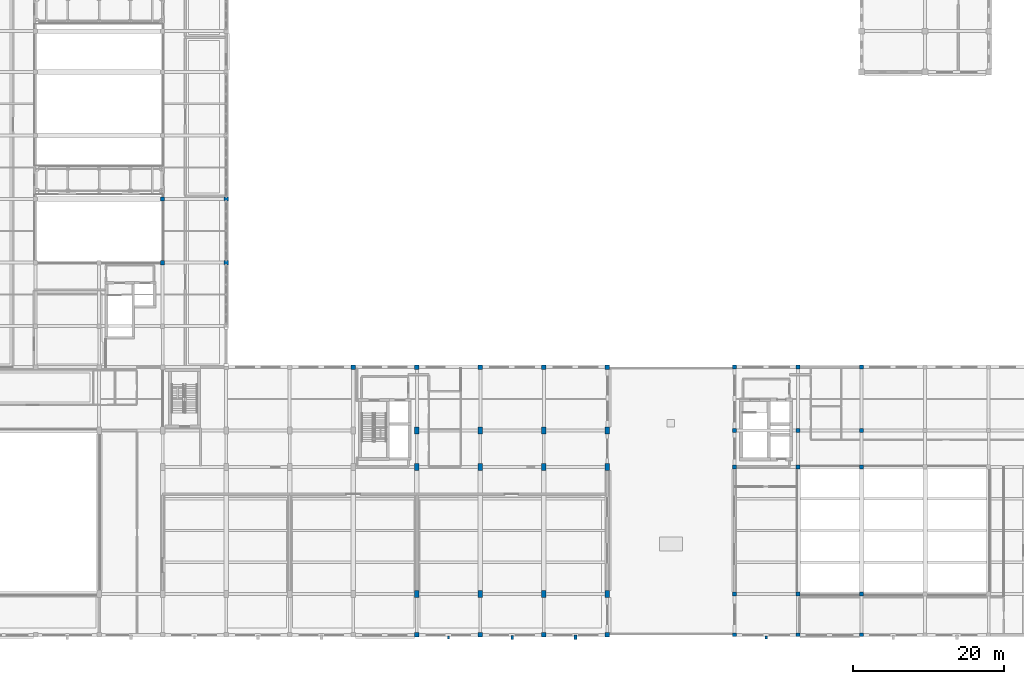
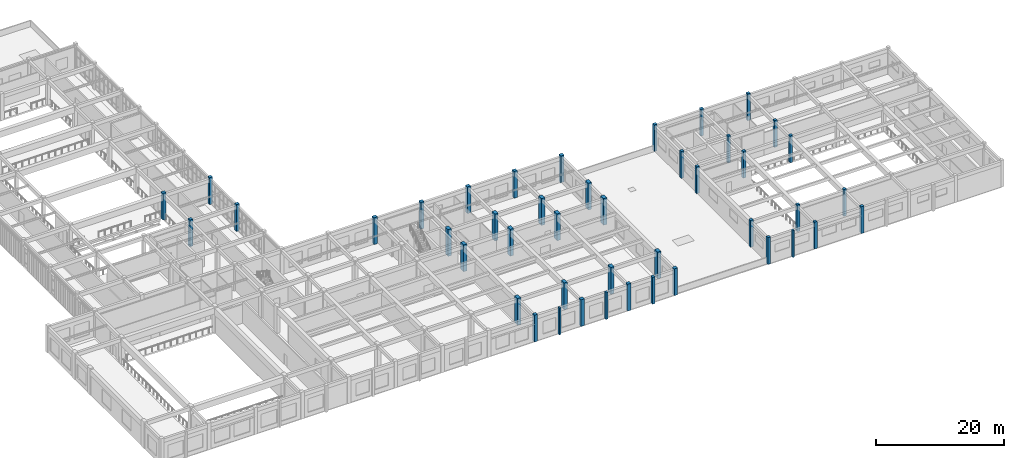
# One storey, part 6 of 77: 44 columns.
"""IFC4 building model written with IfcOpenShell, lengths in metres."""

from ifc_helpers import new_model, si_unit, direction, frame, origin, origin_2d, place, context, subcontext, project, spatial, rectangle, extrude, material, material_profile, profile_set, type_object, element, save


model = new_model("IFC4")

# Units and contexts
model_context = context("Model", 3, precision=1e-05, world=origin(), true_north=direction((0.0, 1.0)))
body_context = subcontext(model_context, "Body", "Model", "MODEL_VIEW")
ifc_project = project(units=[si_unit("LENGTHUNIT", "METRE"), si_unit("AREAUNIT", "SQUARE_METRE"), si_unit("VOLUMEUNIT", "CUBIC_METRE"), si_unit("PLANEANGLEUNIT", "RADIAN"), si_unit("MASSUNIT", "GRAM", prefix="KILO")], contexts=[model_context])

# Site, building, storey
site_placement = place(None, origin())
site = spatial("IfcSite", under=ifc_project, at=site_placement, CompositionType="ELEMENT")
building_placement = place(site_placement, origin())
building = spatial("IfcBuilding", under=site, at=building_placement, Name="Krzemoval Escarpment Law Courts", CompositionType="ELEMENT")
storey_placement = place(building_placement, frame((0.0, 0.0, 15.300048828125)))
storey = spatial("IfcBuildingStorey", under=building, at=storey_placement, Name="L03", CompositionType="ELEMENT", Elevation=15.300048828125)

# Columns
ifc_material_1 = material(Name="Concrete C40/50", Category="concrete")
ifc_material_profile_1 = material_profile(ifc_material_1, rectangle(XDim=0.5, YDim=0.5, at=origin_2d()), Name="RC 500x500")
ifc_profile_set_1 = profile_set([ifc_material_profile_1], Name="Concrete C40/50")
column_type_1 = type_object("IfcColumnType", Name="COL-RC-500", PredefinedType="COLUMN", material=ifc_profile_set_1)
for number, where, z_axis, x_axis, name in (
    (1, (109.199951171875, 0.0, 0.0), (0.0, 0.0, 1.0), (1.0, 0.0, 0.0), "Column FC-L03-1093"),
    (2, (109.199951171875, 5.39990234375, 0.0), (0.0, 0.0, 1.0), (1.0, 0.0, 0.0), "Column FC-L03-1094"),
    (3, (109.199951171875, 22.199951171875, 0.0), (0.0, 0.0, 1.0), (1.0, 0.0, 0.0), "Column FC-L03-1095"),
    (4, (109.199951171875, 27.0, 0.0), (0.0, 0.0, 1.0), (1.0, 0.0, 0.0), "Column FC-L03-1096"),
    (5, (109.199951171875, 35.39990234375, 0.0), (0.0, 0.0, 1.0), (1.0, 0.0, 0.0), "Column FC-L03-1097"),
    (6, (117.60009765625, 0.0, 0.0), (0.0, 0.0, 1.0), (1.0, 0.0, 0.0), "Column FC-L03-1098"),
    (7, (117.60009765625, 5.39990234375, 0.0), (0.0, 0.0, 1.0), (1.0, 0.0, 0.0), "Column FC-L03-1099"),
    (8, (117.60009765625, 22.199951171875, 0.0), (0.0, 0.0, 1.0), (1.0, 0.0, 0.0), "Column FC-L03-1100"),
    (9, (117.60009765625, 27.0, 0.0), (0.0, 0.0, 1.0), (1.0, 0.0, 0.0), "Column FC-L03-1101"),
    (10, (117.60009765625, 35.39990234375, 0.0), (0.0, 0.0, 1.0), (1.0, 0.0, 0.0), "Column FC-L03-1102"),
    (11, (126.0, 0.0, 0.0), (0.0, 0.0, 1.0), (1.0, 0.0, 0.0), "Column FC-L03-1103"),
    (12, (126.0, 5.39990234375, 0.0), (0.0, 0.0, 1.0), (1.0, 0.0, 0.0), "Column FC-L03-1104"),
    (13, (126.0, 22.199951171875, 0.0), (0.0, 0.0, 1.0), (1.0, 0.0, 0.0), "Column FC-L03-1105"),
    (14, (126.0, 27.0, 0.0), (0.0, 0.0, 1.0), (1.0, 0.0, 0.0), "Column FC-L03-1106"),
    (15, (126.0, 35.39990234375, 0.0), (0.0, 0.0, 1.0), (1.0, 0.0, 0.0), "Column FC-L03-1107"),
):
    element("IfcColumn", number, at=place(storey_placement, frame(where, z_axis=z_axis, x_axis=x_axis)), inside=storey, type_object=column_type_1, Name=name, PredefinedType="COLUMN", context=body_context, shape_type="SweptSolid", body=[
        extrude(rectangle(XDim=0.5, YDim=0.5, at=origin_2d()), origin(), (0.0, 0.0, 1.0), 5.099853515625),
    ])
ifc_material_2 = material(Name="Concrete C40/50", Category="concrete")
ifc_material_profile_2 = material_profile(ifc_material_2, rectangle(XDim=0.550048828125, YDim=0.550048828125, at=origin_2d()), Name="RC 550x550")
ifc_profile_set_2 = profile_set([ifc_material_profile_2], Name="Concrete C40/50")
column_type_2 = type_object("IfcColumnType", Name="COL-RC-550", PredefinedType="COLUMN", material=ifc_profile_set_2)
for number, where, z_axis, x_axis, name in (
    (16, (33.60009765625, 49.199951171875, 0.0), (0.0, 0.0, 1.0), (1.0, 0.0, 0.0), "Column FC-L03-1041"),
    (17, (33.60009765625, 57.60009765625, 0.0), (0.0, 0.0, 1.0), (1.0, 0.0, 0.0), "Column FC-L03-1042"),
    (18, (42.0, 49.199951171875, 0.0), (0.0, 0.0, 1.0), (1.0, 0.0, 0.0), "Column FC-L03-1055"),
    (19, (42.0, 57.60009765625, 0.0), (0.0, 0.0, 1.0), (1.0, 0.0, 0.0), "Column FC-L03-1056"),
):
    element("IfcColumn", number, at=place(storey_placement, frame(where, z_axis=z_axis, x_axis=x_axis)), inside=storey, type_object=column_type_2, Name=name, PredefinedType="COLUMN", context=body_context, shape_type="SweptSolid", body=[
        extrude(rectangle(XDim=0.550048828125, YDim=0.550048828125, at=origin_2d()), origin(), (0.0, 0.0, 1.0), 5.099853515625),
    ])
ifc_material_3 = material(Name="Concrete C40/50", Category="concrete")
ifc_material_profile_3 = material_profile(ifc_material_3, rectangle(XDim=0.60009765625, YDim=0.60009765625, at=origin_2d()), Name="RC 600x600")
ifc_profile_set_3 = profile_set([ifc_material_profile_3], Name="Concrete C40/50")
column_type_3 = type_object("IfcColumnType", Name="COL-RC-600", PredefinedType="COLUMN", material=ifc_profile_set_3)
for number, where, z_axis, x_axis, name in (
    (20, (58.800048828125, 35.39990234375, 0.0), (0.0, 0.0, 1.0), (1.0, 0.0, 0.0), "Column FC-L03-1072"),
    (21, (67.199951171875, 0.0, 0.0), (0.0, 0.0, 1.0), (1.0, 0.0, 0.0), "Column FC-L03-1073"),
    (22, (67.199951171875, 35.39990234375, 0.0), (0.0, 0.0, 1.0), (1.0, 0.0, 0.0), "Column FC-L03-1077"),
    (23, (75.60009765625, 0.0, 0.0), (0.0, 0.0, 1.0), (1.0, 0.0, 0.0), "Column FC-L03-1078"),
    (24, (75.60009765625, 35.39990234375, 0.0), (0.0, 0.0, 1.0), (1.0, 0.0, 0.0), "Column FC-L03-1082"),
    (25, (84.0, 0.0, 0.0), (0.0, 0.0, 1.0), (1.0, 0.0, 0.0), "Column FC-L03-1083"),
    (26, (84.0, 35.39990234375, 0.0), (0.0, 0.0, 1.0), (1.0, 0.0, 0.0), "Column FC-L03-1087"),
    (27, (92.39990234375, 0.0, 0.0), (0.0, 0.0, 1.0), (1.0, 0.0, 0.0), "Column FC-L03-1088"),
    (28, (92.39990234375, 35.39990234375, 0.0), (0.0, 0.0, 1.0), (1.0, 0.0, 0.0), "Column FC-L03-1092"),
):
    element("IfcColumn", number, at=place(storey_placement, frame(where, z_axis=z_axis, x_axis=x_axis)), inside=storey, type_object=column_type_3, Name=name, PredefinedType="COLUMN", context=body_context, shape_type="SweptSolid", body=[
        extrude(rectangle(XDim=0.60009765625, YDim=0.60009765625, at=origin_2d()), origin(), (0.0, 0.0, 1.0), 5.099853515625),
    ])
ifc_material_4 = material(Name="Concrete C50/60", Category="concrete")
ifc_material_profile_4 = material_profile(ifc_material_4, rectangle(XDim=0.60009765625, YDim=0.89990234375, at=origin_2d()), Name="RC 600x900")
ifc_profile_set_4 = profile_set([ifc_material_profile_4], Name="Concrete C50/60")
column_type_4 = type_object("IfcColumnType", Name="COL-RC-600x900", PredefinedType="COLUMN", material=ifc_profile_set_4)
for number, where, z_axis, x_axis, name in (
    (29, (67.199951171875, 5.39990234375, 0.0), (0.0, 0.0, 1.0), (1.0, 0.0, 0.0), "Column FC-L03-1074"),
    (30, (67.199951171875, 22.199951171875, 0.0), (0.0, 0.0, 1.0), (1.0, 0.0, 0.0), "Column FC-L03-1075"),
    (31, (67.199951171875, 27.0, 0.0), (0.0, 0.0, 1.0), (1.0, 0.0, 0.0), "Column FC-L03-1076"),
    (32, (75.60009765625, 5.39990234375, 0.0), (0.0, 0.0, 1.0), (1.0, 0.0, 0.0), "Column FC-L03-1079"),
    (33, (75.60009765625, 22.199951171875, 0.0), (0.0, 0.0, 1.0), (1.0, 0.0, 0.0), "Column FC-L03-1080"),
    (34, (75.60009765625, 27.0, 0.0), (0.0, 0.0, 1.0), (1.0, 0.0, 0.0), "Column FC-L03-1081"),
    (35, (84.0, 5.39990234375, 0.0), (0.0, 0.0, 1.0), (1.0, 0.0, 0.0), "Column FC-L03-1084"),
    (36, (84.0, 22.199951171875, 0.0), (0.0, 0.0, 1.0), (1.0, 0.0, 0.0), "Column FC-L03-1085"),
    (37, (84.0, 27.0, 0.0), (0.0, 0.0, 1.0), (1.0, 0.0, 0.0), "Column FC-L03-1086"),
    (38, (92.39990234375, 5.39990234375, 0.0), (0.0, 0.0, 1.0), (1.0, 0.0, 0.0), "Column FC-L03-1089"),
    (39, (92.39990234375, 22.199951171875, 0.0), (0.0, 0.0, 1.0), (1.0, 0.0, 0.0), "Column FC-L03-1090"),
    (40, (92.39990234375, 27.0, 0.0), (0.0, 0.0, 1.0), (1.0, 0.0, 0.0), "Column FC-L03-1091"),
):
    element("IfcColumn", number, at=place(storey_placement, frame(where, z_axis=z_axis, x_axis=x_axis)), inside=storey, type_object=column_type_4, Name=name, PredefinedType="COLUMN", context=body_context, shape_type="SweptSolid", body=[
        extrude(rectangle(XDim=0.60009765625, YDim=0.89990234375, at=origin_2d()), origin(), (0.0, 0.0, 1.0), 5.099853515625),
    ])
ifc_material_5 = material(Name="Precast concrete C40/50", Category="concrete")
ifc_material_profile_5 = material_profile(ifc_material_5, rectangle(XDim=0.300048828125, YDim=0.449951171875, at=origin_2d()), Name="PIL 300x450")
ifc_profile_set_5 = profile_set([ifc_material_profile_5], Name="Precast concrete C40/50")
column_type_5 = type_object("IfcColumnType", Name="PIL-PC-300x450", PredefinedType="PILASTER", material=ifc_profile_set_5)
for number, where, z_axis, x_axis, name in (
    (41, (71.39990234375, -0.35009765625, 0.0), (0.0, 0.0, 1.0), (1.0, 0.0, 0.0), "Facade Pilaster PIL-L03-035"),
    (42, (113.39990234375, -0.35009765625, 0.0), (0.0, 0.0, 1.0), (1.0, 0.0, 0.0), "Facade Pilaster PIL-L03-050"),
):
    element("IfcColumn", number, at=place(storey_placement, frame(where, z_axis=z_axis, x_axis=x_axis)), inside=storey, type_object=column_type_5, Name=name, PredefinedType="PILASTER", context=body_context, shape_type="SweptSolid", body=[
        extrude(rectangle(XDim=0.300048828125, YDim=0.449951171875, at=origin_2d()), origin(), (0.0, 0.0, 1.0), 5.099853515625),
    ])
ifc_material_6 = material(Name="Precast concrete C40/50", Category="concrete")
ifc_material_profile_6 = material_profile(ifc_material_6, rectangle(XDim=0.35009765625, YDim=0.5, at=origin_2d()), Name="PIL 350x500")
ifc_profile_set_6 = profile_set([ifc_material_profile_6], Name="Precast concrete C40/50")
column_type_6 = type_object("IfcColumnType", Name="PIL-PC-350x500", PredefinedType="PILASTER", material=ifc_profile_set_6)
column_1_placement = place(storey_placement, frame((79.800048828125, -0.35009765625, 0.0), z_axis=(0.0, 0.0, 1.0), x_axis=(1.0, 0.0, 0.0)))
element("IfcColumn", 43, at=column_1_placement, inside=storey, type_object=column_type_6, Name="Facade Pilaster PIL-L03-040", PredefinedType="PILASTER", context=body_context, shape_type="SweptSolid", body=[
    extrude(rectangle(XDim=0.35009765625, YDim=0.5, at=origin_2d()), origin(), (0.0, 0.0, 1.0), 5.099853515625),
])
ifc_material_7 = material(Name="Precast concrete C40/50", Category="concrete")
ifc_material_profile_7 = material_profile(ifc_material_7, rectangle(XDim=0.39990234375, YDim=0.60009765625, at=origin_2d()), Name="PIL 400x600")
ifc_profile_set_7 = profile_set([ifc_material_profile_7], Name="Precast concrete C40/50")
column_type_7 = type_object("IfcColumnType", Name="PIL-PC-400x600", PredefinedType="PILASTER", material=ifc_profile_set_7)
column_2_placement = place(storey_placement, frame((88.199951171875, -0.35009765625, 0.0), z_axis=(0.0, 0.0, 1.0), x_axis=(1.0, 0.0, 0.0)))
element("IfcColumn", 44, at=column_2_placement, inside=storey, type_object=column_type_7, Name="Facade Pilaster PIL-L03-045", PredefinedType="PILASTER", context=body_context, shape_type="SweptSolid", body=[
    extrude(rectangle(XDim=0.39990234375, YDim=0.60009765625, at=origin_2d()), origin(), (0.0, 0.0, 1.0), 5.099853515625),
])

save(model, "model.ifc")
